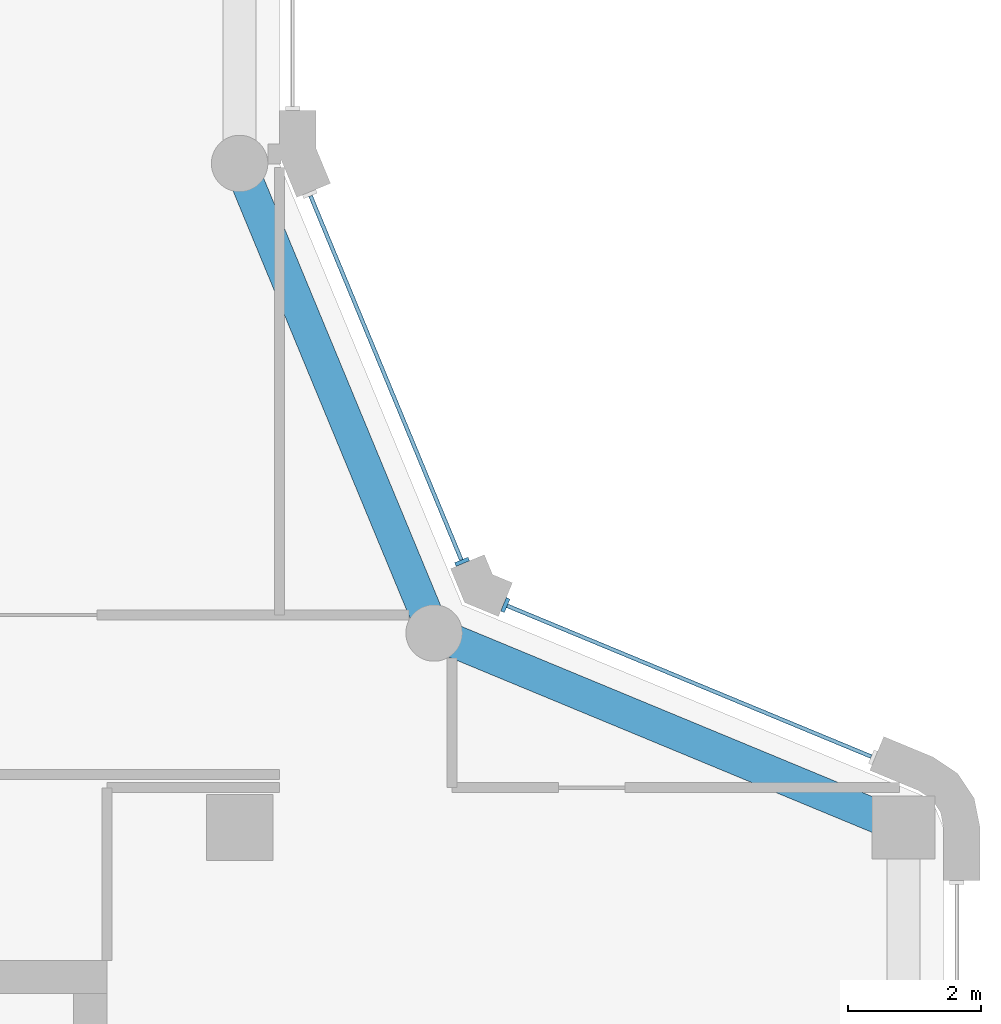
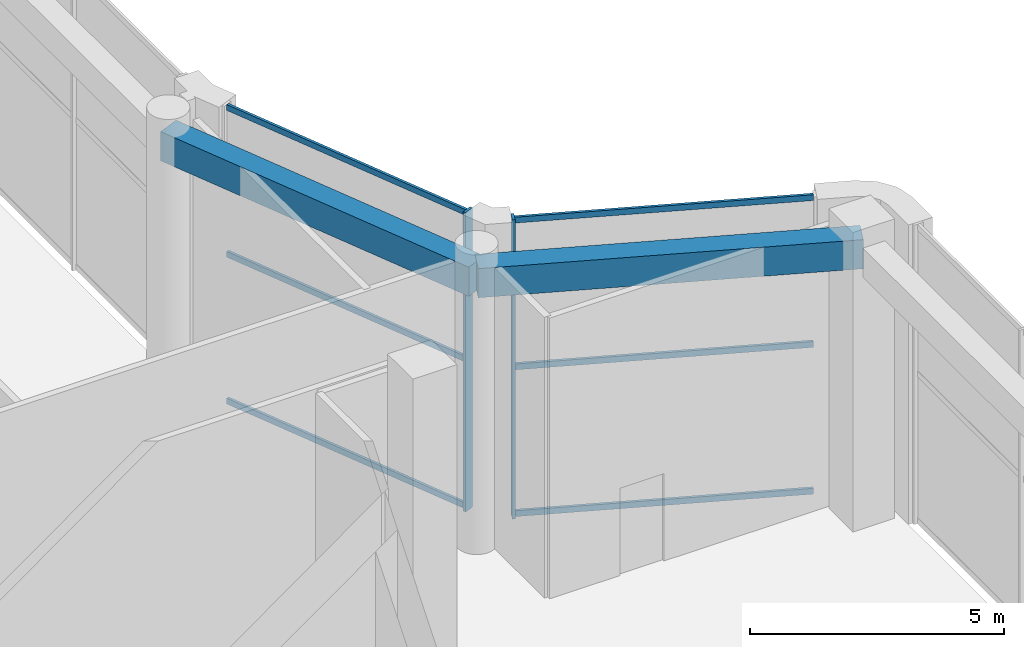
# One storey, part 7 of 14: 8 members, 2 beams, 2 elements without a shape of their own.
"""IFC4 building model written with IfcOpenShell, lengths in metres."""

from ifc_helpers import new_model, si_unit, direction, frame, origin, origin_2d, place, context, subcontext, project, spatial, rectangle, extrude, material, layer, layer_set, material_profile, profile_set, type_object, element, aggregate, save


model = new_model("IFC4")

# Units and contexts
model_context = context("Model", 3, precision=1e-05, world=origin(), true_north=direction((0.0, 1.0)))
body_context = subcontext(model_context, "Body", "Model", "MODEL_VIEW")
ifc_project = project(units=[si_unit("LENGTHUNIT", "METRE"), si_unit("AREAUNIT", "SQUARE_METRE"), si_unit("VOLUMEUNIT", "CUBIC_METRE"), si_unit("PLANEANGLEUNIT", "RADIAN"), si_unit("MASSUNIT", "GRAM", prefix="KILO")], contexts=[model_context])

# Site, building, storey
site_placement = place(None, origin())
site = spatial("IfcSite", under=ifc_project, at=site_placement, CompositionType="ELEMENT")
building_placement = place(site_placement, origin())
building = spatial("IfcBuilding", under=site, at=building_placement, Name="Qaws Garden Tower", CompositionType="ELEMENT")
storey_placement = place(building_placement, frame((0.0, 0.0, 358.199951171875)))
storey = spatial("IfcBuildingStorey", under=building, at=storey_placement, Name="L87", CompositionType="ELEMENT", Elevation=358.199951171875)

# Curtain wall, member
ifc_material_1 = material(Name="Anodised aluminium curtain wall frame", Category="aluminium")
ifc_layer = layer(ifc_material_1, 0.159912109375)
ifc_layer_set = layer_set([ifc_layer], Name="Anodised aluminium curtain wall frame")
curtain_wall_type = type_object("IfcCurtainWallType", Name="CW3 observation glazing curtain wall", PredefinedType="NOTDEFINED", material=ifc_layer_set)
placement = place(storey_placement, origin())
curtain_wall_1 = element("IfcCurtainWall", 1, at=placement, inside=storey, type_object=curtain_wall_type, Name="CW3 Observation glazing 05", PredefinedType="NOTDEFINED")
ifc_material_2 = material(Name="Anodised aluminium curtain wall frame", Category="aluminium")
ifc_material_profile_1 = material_profile(ifc_material_2, rectangle(XDim=0.219970703125, YDim=0.06005859375, at=origin_2d()), Name="AL 60x220")
ifc_profile_set_1 = profile_set([ifc_material_profile_1], Name="Anodised aluminium curtain wall frame")
member_type_1 = type_object("IfcMemberType", Name="CW3 mullion 60 x 220", PredefinedType="MULLION", material=ifc_profile_set_1)
member_1_placement = place(storey_placement, frame((34.001953125, 33.350341796875, 0.0), z_axis=(0.0, 0.0, 1.0), x_axis=(-0.382683432301, -0.923879532538, 0.0)))
member_1 = element("IfcMember", 2, at=member_1_placement, type_object=member_type_1, Name="CW3 mullion 2", PredefinedType="MULLION", context=body_context, shape_type="SweptSolid", body=[
    extrude(rectangle(XDim=0.219970703125, YDim=0.06005859375, at=origin_2d()), origin(), (0.0, 0.0, 1.0), 7.199951171875),
])

curtain_wall_2 = element("IfcCurtainWall", 3, at=placement, inside=storey, type_object=curtain_wall_type, Name="CW3 Observation glazing 06", PredefinedType="NOTDEFINED")
member_2_placement = place(storey_placement, frame((33.350341796875, 34.001953125, 0.0), z_axis=(0.0, 0.0, 1.0), x_axis=(-0.923879532538, -0.382683432301, 0.0)))
member_2 = element("IfcMember", 4, at=member_2_placement, type_object=member_type_1, Name="CW3 mullion 1", PredefinedType="MULLION", context=body_context, shape_type="SweptSolid", body=[
    extrude(rectangle(XDim=0.219970703125, YDim=0.06005859375, at=origin_2d()), origin(), (0.0, 0.0, 1.0), 7.199951171875),
])

# Member
ifc_material_3 = material(Name="Anodised aluminium curtain wall frame", Category="aluminium")
ifc_material_profile_2 = material_profile(ifc_material_3, rectangle(XDim=0.06005859375, YDim=0.139892578125, at=origin_2d()), Name="AL 60x140")
ifc_profile_set_2 = profile_set([ifc_material_profile_2], Name="Anodised aluminium curtain wall frame")
member_type_2 = type_object("IfcMemberType", Name="CW3 transom 140 x 60", PredefinedType="USERDEFINED", material=ifc_profile_set_2)
member_3_placement = place(storey_placement, frame((39.51171875, 31.068115234375, 0.070068359375), z_axis=(-0.923881940565, 0.382677618757, 0.0), x_axis=(-0.382677618757, -0.923881940565, 0.0)))
member_3 = element("IfcMember", 5, at=member_3_placement, type_object=member_type_2, Name="CW3 transom 1.1", ObjectType="TRANSOM", PredefinedType="USERDEFINED", context=body_context, shape_type="SweptSolid", body=[
    extrude(rectangle(XDim=0.06005859375, YDim=0.139892578125, at=origin_2d()), origin(), (0.0, 0.0, 1.0), 5.933837890625),
])

member_4_placement = place(storey_placement, frame((39.51171875, 31.068115234375, 3.60009765625), z_axis=(-0.923881940565, 0.382677618757, 0.0), x_axis=(-0.382677618757, -0.923881940565, 0.0)))
member_4 = element("IfcMember", 6, at=member_4_placement, type_object=member_type_2, Name="CW3 transom 1.2", ObjectType="TRANSOM", PredefinedType="USERDEFINED", context=body_context, shape_type="SweptSolid", body=[
    extrude(rectangle(XDim=0.06005859375, YDim=0.139892578125, at=origin_2d()), origin(), (0.0, 0.0, 1.0), 5.933837890625),
])

member_5_placement = place(storey_placement, frame((39.51171875, 31.068115234375, 7.130126953125), z_axis=(-0.923881940565, 0.382677618757, 0.0), x_axis=(-0.382677618757, -0.923881940565, 0.0)))
member_5 = element("IfcMember", 7, at=member_5_placement, type_object=member_type_2, Name="CW3 transom 1.3", ObjectType="TRANSOM", PredefinedType="USERDEFINED", context=body_context, shape_type="SweptSolid", body=[
    extrude(rectangle(XDim=0.06005859375, YDim=0.139892578125, at=origin_2d()), origin(), (0.0, 0.0, 1.0), 5.933837890625),
])

aggregate(curtain_wall_1, [member_1, member_3, member_4, member_5])

member_6_placement = place(storey_placement, frame((33.3388671875, 34.029541015625, 0.070068359375), z_axis=(-0.382677618757, 0.923881940565, 0.0), x_axis=(-0.923881940565, -0.382677618757, 0.0)))
member_6 = element("IfcMember", 8, at=member_6_placement, type_object=member_type_2, Name="CW3 transom 1.1", ObjectType="TRANSOM", PredefinedType="USERDEFINED", context=body_context, shape_type="SweptSolid", body=[
    extrude(rectangle(XDim=0.06005859375, YDim=0.139892578125, at=origin_2d()), origin(), (0.0, 0.0, 1.0), 5.933837890625),
])

member_7_placement = place(storey_placement, frame((33.3388671875, 34.029541015625, 3.60009765625), z_axis=(-0.382677618757, 0.923881940565, 0.0), x_axis=(-0.923881940565, -0.382677618757, 0.0)))
member_7 = element("IfcMember", 9, at=member_7_placement, type_object=member_type_2, Name="CW3 transom 1.2", ObjectType="TRANSOM", PredefinedType="USERDEFINED", context=body_context, shape_type="SweptSolid", body=[
    extrude(rectangle(XDim=0.06005859375, YDim=0.139892578125, at=origin_2d()), origin(), (0.0, 0.0, 1.0), 5.933837890625),
])

member_8_placement = place(storey_placement, frame((33.3388671875, 34.029541015625, 7.130126953125), z_axis=(-0.382677618757, 0.923881940565, 0.0), x_axis=(-0.923881940565, -0.382677618757, 0.0)))
member_8 = element("IfcMember", 10, at=member_8_placement, type_object=member_type_2, Name="CW3 transom 1.3", ObjectType="TRANSOM", PredefinedType="USERDEFINED", context=body_context, shape_type="SweptSolid", body=[
    extrude(rectangle(XDim=0.06005859375, YDim=0.139892578125, at=origin_2d()), origin(), (0.0, 0.0, 1.0), 5.933837890625),
])

aggregate(curtain_wall_2, [member_2, member_6, member_7, member_8])

# Beams
ifc_material_4 = material(Name="Concrete C45", Category="concrete")
ifc_material_profile_3 = material_profile(ifc_material_4, rectangle(XDim=0.5, YDim=0.699951171875, at=origin_2d()), Name="RC 500x700")
ifc_profile_set_3 = profile_set([ifc_material_profile_3], Name="Concrete C45")
beam_type = type_object("IfcBeamType", Name="Spandrel beam RC 500x700 C45", PredefinedType="SPANDREL", material=ifc_profile_set_3)
for number, where, z_axis, x_axis, name in (
    (11, (40.0, 30.0, 6.400146484375), (-0.923878037141, 0.382687042488, 0.0), (-0.382687042488, -0.923878037141, 0.0), "Spandrel beam L87-006"),
    (12, (32.928955078125, 32.928955078125, 6.400146484375), (-0.382687042488, 0.923878037141, 0.0), (-0.923878037141, -0.382687042488, 0.0), "Spandrel beam L87-007"),
):
    element("IfcBeam", number, at=place(storey_placement, frame(where, z_axis=z_axis, x_axis=x_axis)), inside=storey, type_object=beam_type, Name=name, PredefinedType="SPANDREL", context=body_context, shape_type="SweptSolid", body=[
        extrude(rectangle(XDim=0.5, YDim=0.699951171875, at=origin_2d()), origin(), (0.0, 0.0, 1.0), 7.653564453125),
    ])

save(model, "model.ifc")
